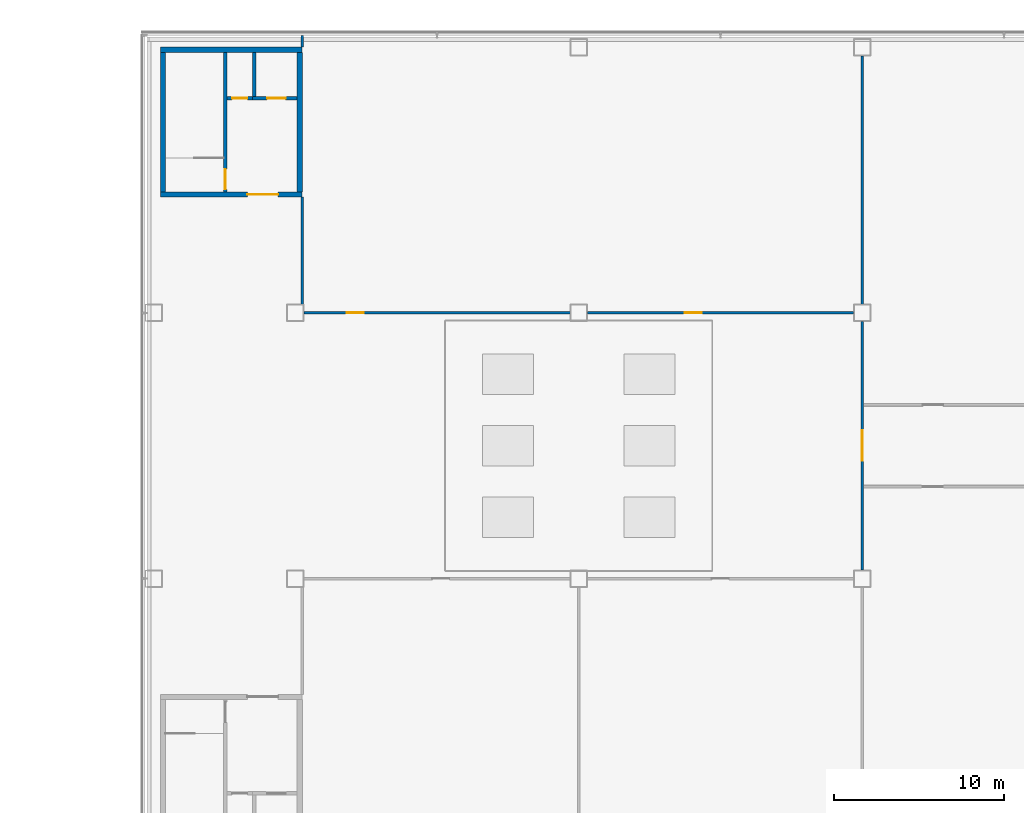
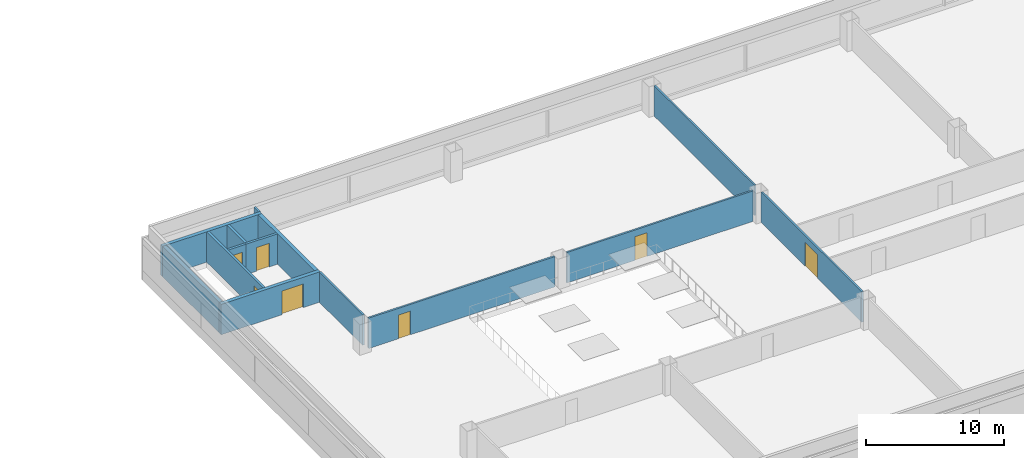
# One storey, part 30 of 42: 14 walls, 7 doors, 7 openings.
"""IFC4 building model written with IfcOpenShell, lengths in metres."""

import ifcopenshell
import ifcopenshell.guid

model = None  # the IFC model being written
_history = None  # IfcOwnerHistory: only IFC2X3 demands one
_inside = {}  # id of a spatial element -> (the spatial element, [elements in it])
_under = {}  # id of a project, library or spatial element -> (it, [spatial elements below it])
_declared = {}  # id of a project -> (the project, [libraries it declares])
_typed = {}  # id of a type object -> (the type object, [elements of that type])
_made_of = {}  # id of a material, layer set ... -> (it, [elements and type objects made of it])


def new_model(schema):
    """Start an empty IFC model of exactly this schema.

    Asked for "IFC4X3", IfcOpenShell would pick the latest addendum, in which some entities
    have other attributes; the version numbers below select the first issue.
    IFC2X3 requires an IfcOwnerHistory on every rooted entity: one is made here for all.
    """
    global model, _history
    if schema == "IFC4X3":
        model = ifcopenshell.file(schema_version=(4, 3, 0, 0))
    else:
        model = ifcopenshell.file(schema=schema)
    _inside.clear()
    _under.clear()
    _declared.clear()
    _typed.clear()
    _made_of.clear()
    _history = None
    if model.schema == "IFC2X3":
        org = make("IfcOrganization", Name="unknown")
        user = make(
            "IfcPersonAndOrganization",
            ThePerson=make("IfcPerson", FamilyName="unknown"),
            TheOrganization=org,
        )
        app = make(
            "IfcApplication",
            ApplicationDeveloper=org,
            Version="unknown",
            ApplicationFullName="unknown",
            ApplicationIdentifier="unknown",
        )
        _history = make(
            "IfcOwnerHistory",
            OwningUser=user,
            OwningApplication=app,
            ChangeAction="ADDED",
            CreationDate=0,
        )
    return model


def make(cls, **values):
    """One entity of the class cls with the attributes given. An attribute that is None is left unset."""
    return model.create_entity(
        cls, **{name: value for name, value in values.items() if value is not None}
    )


def rooted(cls, **values):
    """An entity with a GlobalId (a new one), such as an element, a storey or a relation."""
    return make(cls, GlobalId=ifcopenshell.guid.new(), OwnerHistory=_history, **values)


def si_unit(unit_type, name, prefix=None):
    """IfcSIUnit, for example si_unit("LENGTHUNIT", "METRE", prefix="MILLI")."""
    return make("IfcSIUnit", UnitType=unit_type, Prefix=prefix, Name=name)


def assignment(units):
    """IfcUnitAssignment: the units of a project."""
    return None if units is None else make("IfcUnitAssignment", Units=units)


def point(xyz):
    """IfcCartesianPoint."""
    return None if xyz is None else make("IfcCartesianPoint", Coordinates=xyz)


def direction(xyz):
    """IfcDirection."""
    return None if xyz is None else make("IfcDirection", DirectionRatios=xyz)


def frame(location, z_axis=None, x_axis=None):
    """IfcAxis2Placement3D, a coordinate frame: its origin and axes. An axis left out is left unset."""
    return make(
        "IfcAxis2Placement3D",
        Location=point(location),
        Axis=direction(z_axis),
        RefDirection=direction(x_axis),
    )


def frame_2d(location, x_axis=None):
    """IfcAxis2Placement2D, a coordinate frame in the plane: its origin and x axis."""
    return make(
        "IfcAxis2Placement2D", Location=point(location), RefDirection=direction(x_axis)
    )


def origin():
    """The frame at (0, 0, 0) with its axes left unset."""
    return frame((0.0, 0.0, 0.0))


def place(relative_to, where):
    """IfcLocalPlacement: puts the frame where relative to a parent placement (None: the world)."""
    return make(
        "IfcLocalPlacement", PlacementRelTo=relative_to, RelativePlacement=where
    )


def context(
    kind, dimensions, precision=None, world=None, true_north=None, identifier=None
):
    """IfcGeometricRepresentationContext, for example the 3D "Model" context."""
    return make(
        "IfcGeometricRepresentationContext",
        ContextIdentifier=identifier,
        ContextType=kind,
        CoordinateSpaceDimension=dimensions,
        Precision=precision,
        WorldCoordinateSystem=world,
        TrueNorth=true_north,
    )


def subcontext(parent, identifier, kind, view, scale=None):
    """IfcGeometricRepresentationSubContext, for example "Body" below "Model"."""
    return make(
        "IfcGeometricRepresentationSubContext",
        ContextIdentifier=identifier,
        ContextType=kind,
        ParentContext=parent,
        TargetScale=scale,
        TargetView=view,
    )


def project(units=None, contexts=None):
    """IfcProject with its units and contexts."""
    return rooted(
        "IfcProject",
        Name="project",
        RepresentationContexts=contexts,
        UnitsInContext=assignment(units),
    )


def spatial(cls, under=None, at=None, **own):
    """A site, building, storey or space (cls), placed at a placement, below another one or the project."""
    s = rooted(cls, ObjectPlacement=at, **own)
    if under is not None:
        _under.setdefault(under.id(), (under, []))[1].append(s)
    return s


def profile(cls, at=None, kind="AREA", **sizes):
    """A parametric profile (cls). Its sizes go by their IFC names, for example OverallWidth=200.0."""
    return make(cls, ProfileType=kind, Position=at, **sizes)


def rectangle(**sizes):
    """IfcRectangleProfileDef."""
    return profile("IfcRectangleProfileDef", **sizes)


def extrude(swept, where, along, depth):
    """IfcExtrudedAreaSolid: the profile swept, set in the frame where, extruded along a direction by depth."""
    return make(
        "IfcExtrudedAreaSolid",
        SweptArea=swept,
        Position=where,
        ExtrudedDirection=direction(along),
        Depth=depth,
    )


def shape(context_of_items, identifier, shape_type, items):
    """IfcShapeRepresentation: the items that make up one representation, for example the "Body"."""
    return make(
        "IfcShapeRepresentation",
        ContextOfItems=context_of_items,
        RepresentationIdentifier=identifier,
        RepresentationType=shape_type,
        Items=items,
    )


def material(Name=None, Category=None):
    """IfcMaterial."""
    return make("IfcMaterial", Name=Name, Category=Category)


def layer(
    of_material, thickness, ventilated=None, Name=None, Category=None, Priority=None
):
    """IfcMaterialLayer: one layer of a wall or slab, of a material (None: an air gap)."""
    return make(
        "IfcMaterialLayer",
        Material=of_material,
        LayerThickness=thickness,
        IsVentilated=ventilated,
        Name=Name,
        Category=Category,
        Priority=Priority,
    )


def layer_set(layers, Name=None):
    """IfcMaterialLayerSet."""
    return make("IfcMaterialLayerSet", MaterialLayers=layers, LayerSetName=Name)


def made_of(thing, what):
    """Note that an element or type object is made of a material, layer set ...; save() writes the relation."""
    if what is not None:
        _made_of.setdefault(what.id(), (what, []))[1].append(thing)
    return thing


def type_object(cls, material=None, **own):
    """A type object (cls), such as IfcWallType, which elements share."""
    return made_of(rooted(cls, **own), material)


def element(
    cls,
    number,
    at=None,
    inside=None,
    cuts=None,
    type_object=None,
    material=None,
    context=None,
    identifier="Body",
    shape_type=None,
    held_by="IfcProductDefinitionShape",
    body=None,
    shapes=None,
    **own,
):
    """One element of the class cls, such as IfcWall. Its Tag is "e" and its number.

    at: its placement. inside: the storey or other place that contains it. cuts: it is an
    opening in that element (IfcRelVoidsElement). A single representation is given by context,
    identifier, shape_type and body (its items); several are given by shapes. held_by: the class
    of the entity that holds the representations. save() writes the other relations.
    """
    e = rooted(cls, Tag="e%d" % number, ObjectPlacement=at, **own)
    if body is not None:
        shapes = [shape(context, identifier, shape_type, body)]
    if shapes is not None:
        e.Representation = make(held_by, Representations=shapes)
    if inside is not None:
        _inside.setdefault(inside.id(), (inside, []))[1].append(e)
    if cuts is not None:
        rooted(
            "IfcRelVoidsElement", RelatingBuildingElement=cuts, RelatedOpeningElement=e
        )
    if type_object is not None:
        _typed.setdefault(type_object.id(), (type_object, []))[1].append(e)
    return made_of(e, material)


def fill(opening, filler):
    """IfcRelFillsElement: the door or window that sits in an opening."""
    return rooted(
        "IfcRelFillsElement",
        RelatingOpeningElement=opening,
        RelatedBuildingElement=filler,
    )


def aggregate(whole, parts):
    """IfcRelAggregates: a whole, such as a stair, and the parts it consists of."""
    return rooted("IfcRelAggregates", RelatingObject=whole, RelatedObjects=parts)


def save(model, path):
    """Write the relations noted so far, then the file.

    IfcRelAggregates (storeys below a building ...), IfcRelContainedInSpatialStructure (elements
    in a storey), IfcRelDefinesByType, IfcRelAssociatesMaterial and IfcRelDeclares: one each for
    every whole, place, type object, material and project.
    """
    for whole, parts in _under.values():
        aggregate(whole, parts)
    for where, things in _inside.values():
        rooted(
            "IfcRelContainedInSpatialStructure",
            RelatedElements=things,
            RelatingStructure=where,
        )
    for kind, things in _typed.values():
        rooted("IfcRelDefinesByType", RelatedObjects=things, RelatingType=kind)
    for what, things in _made_of.values():
        rooted("IfcRelAssociatesMaterial", RelatedObjects=things, RelatingMaterial=what)
    for by, libraries in _declared.values():
        rooted("IfcRelDeclares", RelatingContext=by, RelatedDefinitions=libraries)
    model.write(path)


model = new_model("IFC4")

# Units and contexts
model_context = context("Model", 3, precision=1e-05, world=origin(), true_north=direction((0.0, 1.0)))
body_context = subcontext(model_context, "Body", "Model", "MODEL_VIEW")
ifc_project = project(units=[si_unit("LENGTHUNIT", "METRE"), si_unit("AREAUNIT", "SQUARE_METRE"), si_unit("VOLUMEUNIT", "CUBIC_METRE"), si_unit("PLANEANGLEUNIT", "RADIAN"), si_unit("MASSUNIT", "GRAM", prefix="KILO")], contexts=[model_context])

# Site, building, storey
site_placement = place(None, origin())
site = spatial("IfcSite", under=ifc_project, at=site_placement, CompositionType="ELEMENT")
building_placement = place(site_placement, origin())
building = spatial("IfcBuilding", under=site, at=building_placement, Name="Hakoniwa Tower and Hamabe Station Hall", CompositionType="ELEMENT")
storey_placement = place(building_placement, frame((0.0, 0.0, 19.800048828125)))
storey = spatial("IfcBuildingStorey", under=building, at=storey_placement, Name="L04", CompositionType="ELEMENT", Elevation=19.800048828125)

# Wall, opening, door
ifc_material_1 = material(Name="Concrete block masonry fb10", Category="masonry")
ifc_layer_1 = layer(ifc_material_1, 0.199951171875)
ifc_layer_set_1 = layer_set([ifc_layer_1], Name="BLOCK WALL 200 EI 60")
wall_type_1 = type_object("IfcWallType", Name="BLOCK WALL 200 EI 60", PredefinedType="PARTITIONING", material=ifc_layer_set_1)
wall_1_placement = place(storey_placement, frame((90.25, 20.39990234375, 0.0), z_axis=(0.0, 0.0, 1.0), x_axis=(1.0, 0.0, 0.0)))
wall_1 = element("IfcWall", 1, at=wall_1_placement, inside=storey, type_object=wall_type_1, Name="Station riser room wall SC1 L04", PredefinedType="PARTITIONING", context=body_context, shape_type="SweptSolid", body=[
    extrude(rectangle(XDim=1.5, YDim=0.199951171875, at=frame_2d((0.75, 0.0))), origin(), (0.0, 0.0, 1.0), 2.699951171875),
])
opening_1_placement = place(wall_1_placement, frame((0.300048828125, 0.0, 0.0)))
opening_1 = element("IfcOpeningElement", 2, at=opening_1_placement, cuts=wall_1, Name="Opening SD-L04-018", PredefinedType="OPENING", context=body_context, shape_type="SweptSolid", body=[
    extrude(rectangle(XDim=0.89990234375, YDim=2.10009765625, at=frame_2d((0.449951171875, 1.050048828125))), frame((0.0, 0.10986328125, 0.0), z_axis=(0.0, -1.0, 0.0), x_axis=(1.0, 0.0, 0.0)), (0.0, 0.0, 1.0), 0.219970703125),
])
ifc_material_2 = material(Name="Steel fire door", Category="steel")
door_type_1 = type_object("IfcDoorType", Name="FIRE DOOR 900X2100 FD30", OperationType="SINGLE_SWING_LEFT", PredefinedType="DOOR", material=ifc_material_2)
door_1_placement = place(opening_1_placement, origin())
door_1 = element("IfcDoor", 3, at=door_1_placement, inside=storey, type_object=door_type_1, Name="Door riser SC1", OperationType="SINGLE_SWING_LEFT", OverallHeight=2.10009765625, OverallWidth=0.89990234375, PredefinedType="DOOR", context=body_context, shape_type="SweptSolid", body=[
    extrude(rectangle(XDim=0.89990234375, YDim=2.10009765625, at=frame_2d((0.449951171875, 1.050048828125))), frame((0.0, 0.02490234375, 0.0), z_axis=(0.0, -1.0, 0.0), x_axis=(1.0, 0.0, 0.0)), (0.0, 0.0, 1.0), 0.050048828125),
])
fill(opening_1, door_1)

ifc_material_3 = material(Name="Fire-rated gypsum board partition")
ifc_layer_2 = layer(ifc_material_3, 0.14990234375)
ifc_layer_set_2 = layer_set([ifc_layer_2], Name="FIRE PARTITION 150 EI 60")
wall_type_2 = type_object("IfcWallType", Name="FIRE PARTITION 150 EI 60", PredefinedType="PARTITIONING", material=ifc_layer_set_2)
wall_2_placement = place(storey_placement, frame((94.77001953125, 7.800048828125, 0.0), z_axis=(0.0, 0.0, 1.0), x_axis=(1.0, 0.0, 0.0)))
wall_2 = element("IfcWall", 4, at=wall_2_placement, inside=storey, type_object=wall_type_2, Name="Partition L04 4", PredefinedType="PARTITIONING", context=body_context, shape_type="SweptSolid", body=[
    extrude(rectangle(XDim=15.639892578125, YDim=0.14990234375, at=frame_2d((7.81982421875, 0.0))), origin(), (0.0, 0.0, 1.0), 2.699951171875),
])
opening_2_placement = place(wall_2_placement, frame((2.5048828125, 0.0, 0.0)))
opening_2 = element("IfcOpeningElement", 5, at=opening_2_placement, cuts=wall_2, Name="Opening SD-L04-002", PredefinedType="OPENING", context=body_context, shape_type="SweptSolid", body=[
    extrude(rectangle(XDim=1.0, YDim=2.10009765625, at=frame_2d((0.5, 1.050048828125))), frame((0.0, 0.0849609375, 0.0), z_axis=(0.0, -1.0, 0.0), x_axis=(1.0, 0.0, 0.0)), (0.0, 0.0, 1.0), 0.169921875),
])
ifc_material_4 = material(Name="Timber door leaf", Category="wood")
door_type_2 = type_object("IfcDoorType", Name="SINGLE DOOR 1000X2100", OperationType="SINGLE_SWING_LEFT", PredefinedType="DOOR", material=ifc_material_4)
door_2_placement = place(opening_2_placement, origin())
door_2 = element("IfcDoor", 6, at=door_2_placement, inside=storey, type_object=door_type_2, Name="Door Railway Administration Office", OperationType="SINGLE_SWING_RIGHT", OverallHeight=2.10009765625, OverallWidth=1.0, PredefinedType="DOOR", context=body_context, shape_type="SweptSolid", body=[
    extrude(rectangle(XDim=1.0, YDim=2.10009765625, at=frame_2d((0.5, 1.050048828125))), frame((0.0, 0.02490234375, 0.0), z_axis=(0.0, -1.0, 0.0), x_axis=(1.0, 0.0, 0.0)), (0.0, 0.0, 1.0), 0.050048828125),
])
fill(opening_2, door_2)

wall_3_placement = place(storey_placement, frame((111.409912109375, 7.800048828125, 0.0), z_axis=(0.0, 0.0, 1.0), x_axis=(1.0, 0.0, 0.0)))
wall_3 = element("IfcWall", 7, at=wall_3_placement, inside=storey, type_object=wall_type_2, Name="Partition L04 4", PredefinedType="PARTITIONING", context=body_context, shape_type="SweptSolid", body=[
    extrude(rectangle(XDim=15.64013671875, YDim=0.14990234375, at=frame_2d((7.820068359375, 0.0))), origin(), (0.0, 0.0, 1.0), 2.699951171875),
])
opening_3_placement = place(wall_3_placement, frame((5.735107421875, 0.0, 0.0)))
opening_3 = element("IfcOpeningElement", 8, at=opening_3_placement, cuts=wall_3, Name="Opening SD-L04-001", PredefinedType="OPENING", context=body_context, shape_type="SweptSolid", body=[
    extrude(rectangle(XDim=1.0, YDim=2.10009765625, at=frame_2d((0.5, 1.050048828125))), frame((0.0, 0.0849609375, 0.0), z_axis=(0.0, -1.0, 0.0), x_axis=(1.0, 0.0, 0.0)), (0.0, 0.0, 1.0), 0.169921875),
])
door_3_placement = place(opening_3_placement, origin())
door_3 = element("IfcDoor", 9, at=door_3_placement, inside=storey, type_object=door_type_2, Name="Door Railway Administration Office", OperationType="SINGLE_SWING_LEFT", OverallHeight=2.10009765625, OverallWidth=1.0, PredefinedType="DOOR", context=body_context, shape_type="SweptSolid", body=[
    extrude(rectangle(XDim=1.0, YDim=2.10009765625, at=frame_2d((0.5, 1.050048828125))), frame((0.0, 0.02490234375, 0.0), z_axis=(0.0, -1.0, 0.0), x_axis=(1.0, 0.0, 0.0)), (0.0, 0.0, 1.0), 0.050048828125),
])
fill(opening_3, door_3)

# Walls
wall_4_placement = place(storey_placement, frame((94.669921875, 8.300048828125, 0.0), z_axis=(0.0, 0.0, 1.0), x_axis=(0.0, 1.0, 0.0)))
element("IfcWall", 10, at=wall_4_placement, inside=storey, type_object=wall_type_2, Name="Partition L04 7", PredefinedType="PARTITIONING", context=body_context, shape_type="SweptSolid", body=[
    extrude(rectangle(XDim=6.300048828125, YDim=0.14990234375, at=frame_2d((3.14990234375, 0.0))), origin(), (0.0, 0.0, 1.0), 2.699951171875),
])
wall_5_placement = place(storey_placement, frame((94.669921875, 23.39990234375, 0.0), z_axis=(0.0, 0.0, 1.0), x_axis=(0.0, 1.0, 0.0)))
element("IfcWall", 11, at=wall_5_placement, inside=storey, type_object=wall_type_2, Name="Partition L04 8", PredefinedType="PARTITIONING", context=body_context, shape_type="SweptSolid", body=[
    extrude(rectangle(XDim=0.7001953125, YDim=0.14990234375, at=frame_2d((0.35009765625, 0.0))), origin(), (0.0, 0.0, 1.0), 2.699951171875),
])

# Wall, opening, door
wall_6_placement = place(storey_placement, frame((127.550048828125, -7.300048828125, 0.0), z_axis=(0.0, 0.0, 1.0), x_axis=(0.0, 1.0, 0.0)))
wall_6 = element("IfcWall", 12, at=wall_6_placement, inside=storey, type_object=wall_type_2, Name="Partition L04 10", PredefinedType="PARTITIONING", context=body_context, shape_type="SweptSolid", body=[
    extrude(rectangle(XDim=14.60009765625, YDim=0.14990234375, at=frame_2d((7.300048828125, 0.0))), origin(), (0.0, 0.0, 1.0), 2.699951171875),
])
opening_4_placement = place(wall_6_placement, frame((6.4150390625, 0.0, 0.0)))
opening_4 = element("IfcOpeningElement", 13, at=opening_4_placement, cuts=wall_6, Name="Opening SD-L04-005", PredefinedType="OPENING", context=body_context, shape_type="SweptSolid", body=[
    extrude(rectangle(XDim=1.800048828125, YDim=2.10009765625, at=frame_2d((0.89990234375, 1.050048828125))), frame((0.0, 0.0849609375, 0.0), z_axis=(0.0, -1.0, 0.0), x_axis=(1.0, 0.0, 0.0)), (0.0, 0.0, 1.0), 0.169921875),
])
ifc_material_5 = material(Name="Steel fire door", Category="steel")
door_type_3 = type_object("IfcDoorType", Name="FIRE DOUBLE DOOR 1800X2100 FD60", OperationType="DOUBLE_DOOR_SINGLE_SWING", PredefinedType="DOOR", material=ifc_material_5)
door_4_placement = place(opening_4_placement, origin())
door_4 = element("IfcDoor", 14, at=door_4_placement, inside=storey, type_object=door_type_3, Name="Door Plant Corridor", OperationType="DOUBLE_DOOR_SINGLE_SWING", OverallHeight=2.10009765625, OverallWidth=1.800048828125, PredefinedType="DOOR", context=body_context, shape_type="SweptSolid", body=[
    extrude(rectangle(XDim=1.800048828125, YDim=2.10009765625, at=frame_2d((0.89990234375, 1.050048828125))), frame((0.0, 0.02490234375, 0.0), z_axis=(0.0, -1.0, 0.0), x_axis=(1.0, 0.0, 0.0)), (0.0, 0.0, 1.0), 0.050048828125),
])
fill(opening_4, door_4)

# Wall
wall_7_placement = place(storey_placement, frame((127.550048828125, 8.300048828125, 0.0), z_axis=(0.0, 0.0, 1.0), x_axis=(0.0, 1.0, 0.0)))
element("IfcWall", 15, at=wall_7_placement, inside=storey, type_object=wall_type_2, Name="Partition L04 10", PredefinedType="PARTITIONING", context=body_context, shape_type="SweptSolid", body=[
    extrude(rectangle(XDim=14.599853515625, YDim=0.14990234375, at=frame_2d((7.2998046875, 0.0))), origin(), (0.0, 0.0, 1.0), 2.699951171875),
])

# Wall, opening, door
ifc_material_6 = material(Name="Concrete C60", Category="concrete")
ifc_layer_3 = layer(ifc_material_6, 0.199951171875)
ifc_layer_set_3 = layer_set([ifc_layer_3], Name="RC WALL 200 EI 120 C60")
wall_type_3 = type_object("IfcWallType", Name="RC WALL 200 EI 120 C60", PredefinedType="SHEAR", material=ifc_layer_set_3)
wall_8_placement = place(storey_placement, frame((90.14990234375, 23.10009765625, 0.0), z_axis=(0.0, 0.0, 1.0), x_axis=(0.0, -1.0, 0.0)))
wall_8 = element("IfcWall", 16, at=wall_8_placement, inside=storey, type_object=wall_type_3, Name="Station stair wall SC1 L04", PredefinedType="SHEAR", context=body_context, shape_type="SweptSolid", body=[
    extrude(rectangle(XDim=8.2001953125, YDim=0.199951171875, at=frame_2d((4.10009765625, 0.0))), origin(), (0.0, 0.0, 1.0), 2.699951171875),
])
opening_5_placement = place(wall_8_placement, frame((6.85009765625, 0.0, 0.0)))
opening_5 = element("IfcOpeningElement", 17, at=opening_5_placement, cuts=wall_8, Name="Opening SD-L04-017", PredefinedType="OPENING", context=body_context, shape_type="SweptSolid", body=[
    extrude(rectangle(XDim=1.199951171875, YDim=2.10009765625, at=frame_2d((0.60009765625, 1.050048828125))), frame((0.0, 0.10986328125, 0.0), z_axis=(0.0, -1.0, 0.0), x_axis=(1.0, 0.0, 0.0)), (0.0, 0.0, 1.0), 0.219970703125),
])
ifc_material_7 = material(Name="Steel fire door", Category="steel")
door_type_4 = type_object("IfcDoorType", Name="FIRE DOOR 1200X2100 FD60", OperationType="SINGLE_SWING_LEFT", PredefinedType="DOOR", material=ifc_material_7)
door_5_placement = place(opening_5_placement, origin())
door_5 = element("IfcDoor", 18, at=door_5_placement, inside=storey, type_object=door_type_4, Name="Door escape stair SC1", OperationType="SINGLE_SWING_LEFT", OverallHeight=2.10009765625, OverallWidth=1.199951171875, PredefinedType="DOOR", context=body_context, shape_type="SweptSolid", body=[
    extrude(rectangle(XDim=1.199951171875, YDim=2.10009765625, at=frame_2d((0.60009765625, 1.050048828125))), frame((0.0, 0.02490234375, 0.0), z_axis=(0.0, -1.0, 0.0), x_axis=(1.0, 0.0, 0.0)), (0.0, 0.0, 1.0), 0.050048828125),
])
fill(opening_5, door_5)

# Wall
ifc_material_8 = material(Name="Concrete C60", Category="concrete")
ifc_layer_4 = layer(ifc_material_8, 0.199951171875)
ifc_layer_set_4 = layer_set([ifc_layer_4], Name="RC WALL 200 EI 60 C60")
wall_type_4 = type_object("IfcWallType", Name="RC WALL 200 EI 60 C60", PredefinedType="SHEAR", material=ifc_layer_set_4)
wall_9_placement = place(storey_placement, frame((91.85009765625, 23.10009765625, 0.0), z_axis=(0.0, 0.0, 1.0), x_axis=(0.0, -1.0, 0.0)))
element("IfcWall", 19, at=wall_9_placement, inside=storey, type_object=wall_type_4, Name="Station hoistway wall SC1 L04", PredefinedType="SHEAR", context=body_context, shape_type="SweptSolid", body=[
    extrude(rectangle(XDim=2.60009765625, YDim=0.199951171875, at=frame_2d((1.300048828125, 0.0))), origin(), (0.0, 0.0, 1.0), 2.699951171875),
])

# Wall, opening, door
wall_10_placement = place(storey_placement, frame((91.75, 20.39990234375, 0.0), z_axis=(0.0, 0.0, 1.0), x_axis=(1.0, 0.0, 0.0)))
wall_10 = element("IfcWall", 20, at=wall_10_placement, inside=storey, type_object=wall_type_4, Name="Station hoistway front wall SC1 L04", PredefinedType="SHEAR", context=body_context, shape_type="SweptSolid", body=[
    extrude(rectangle(XDim=2.6201171875, YDim=0.199951171875, at=frame_2d((1.31005859375, 0.0))), origin(), (0.0, 0.0, 1.0), 2.699951171875),
])
opening_6_placement = place(wall_10_placement, frame((0.85009765625, 0.0, 0.0)))
opening_6 = element("IfcOpeningElement", 21, at=opening_6_placement, cuts=wall_10, Name="Opening LD-SL1-L04", PredefinedType="OPENING", context=body_context, shape_type="SweptSolid", body=[
    extrude(rectangle(XDim=1.10009765625, YDim=2.10009765625, at=frame_2d((0.550048828125, 1.050048828125))), frame((0.0, 0.10986328125, 0.0), z_axis=(0.0, -1.0, 0.0), x_axis=(1.0, 0.0, 0.0)), (0.0, 0.0, 1.0), 0.219970703125),
])
ifc_material_9 = material(Name="Stainless steel SUS304", Category="steel")
door_type_5 = type_object("IfcDoorType", Name="LIFT LANDING DOOR 1100X2100", OperationType="DOUBLE_DOOR_SLIDING", PredefinedType="DOOR", material=ifc_material_9)
door_6_placement = place(opening_6_placement, origin())
door_6 = element("IfcDoor", 22, at=door_6_placement, inside=storey, type_object=door_type_5, Name="Lift landing door SL1 L04", OperationType="DOUBLE_DOOR_SLIDING", OverallHeight=2.10009765625, OverallWidth=1.10009765625, PredefinedType="DOOR", context=body_context, shape_type="SweptSolid", body=[
    extrude(rectangle(XDim=1.10009765625, YDim=2.10009765625, at=frame_2d((0.550048828125, 1.050048828125))), frame((0.0, 0.02490234375, 0.0), z_axis=(0.0, -1.0, 0.0), x_axis=(1.0, 0.0, 0.0)), (0.0, 0.0, 1.0), 0.050048828125),
])
fill(opening_6, door_6)

# Wall
ifc_material_10 = material(Name="Concrete C60", Category="concrete")
ifc_layer_5 = layer(ifc_material_10, 0.300048828125)
ifc_layer_set_5 = layer_set([ifc_layer_5], Name="RC WALL 300 EI 120 C60")
wall_type_5 = type_object("IfcWallType", Name="RC WALL 300 EI 120 C60", PredefinedType="SHEAR", material=ifc_layer_set_5)
wall_11_placement = place(storey_placement, frame((86.35009765625, 23.25, 0.0), z_axis=(0.0, 0.0, 1.0), x_axis=(1.0, 0.0, 0.0)))
element("IfcWall", 23, at=wall_11_placement, inside=storey, type_object=wall_type_5, Name="Station core wall SC1 outer-v L04", PredefinedType="SHEAR", context=body_context, shape_type="SweptSolid", body=[
    extrude(rectangle(XDim=8.31982421875, YDim=0.300048828125, at=frame_2d((4.159912109375, 0.0))), origin(), (0.0, 0.0, 1.0), 2.699951171875),
])

# Wall, opening, door
wall_12_placement = place(storey_placement, frame((86.35009765625, 14.75, 0.0), z_axis=(0.0, 0.0, 1.0), x_axis=(1.0, 0.0, 0.0)))
wall_12 = element("IfcWall", 24, at=wall_12_placement, inside=storey, type_object=wall_type_5, Name="Station core wall SC1 inner-v L04", PredefinedType="SHEAR", context=body_context, shape_type="SweptSolid", body=[
    extrude(rectangle(XDim=8.31982421875, YDim=0.300048828125, at=frame_2d((4.159912109375, 0.0))), origin(), (0.0, 0.0, 1.0), 2.699951171875),
])
opening_7_placement = place(wall_12_placement, frame((5.10009765625, 0.0, 0.0)))
opening_7 = element("IfcOpeningElement", 25, at=opening_7_placement, cuts=wall_12, Name="Opening SD-L04-016", PredefinedType="OPENING", context=body_context, shape_type="SweptSolid", body=[
    extrude(rectangle(XDim=1.800048828125, YDim=2.10009765625, at=frame_2d((0.89990234375, 1.050048828125))), frame((0.0, 0.159912109375, 0.0), z_axis=(0.0, -1.0, 0.0), x_axis=(1.0, 0.0, 0.0)), (0.0, 0.0, 1.0), 0.320068359375),
])
door_7_placement = place(opening_7_placement, origin())
door_7 = element("IfcDoor", 26, at=door_7_placement, inside=storey, type_object=door_type_3, Name="Door lobby SC1", OperationType="DOUBLE_DOOR_SINGLE_SWING", OverallHeight=2.10009765625, OverallWidth=1.800048828125, PredefinedType="DOOR", context=body_context, shape_type="SweptSolid", body=[
    extrude(rectangle(XDim=1.800048828125, YDim=2.10009765625, at=frame_2d((0.89990234375, 1.050048828125))), frame((0.0, 0.02490234375, 0.0), z_axis=(0.0, -1.0, 0.0), x_axis=(1.0, 0.0, 0.0)), (0.0, 0.0, 1.0), 0.050048828125),
])
fill(opening_7, door_7)

# Walls
for number, where, z_axis, x_axis, name in (
    (27, (86.5, 23.10009765625, 0.0), (0.0, 0.0, 1.0), (0.0, -1.0, 0.0), "Station core wall SC1 outer-u L04"),
    (28, (94.52001953125, 23.10009765625, 0.0), (0.0, 0.0, 1.0), (0.0, -1.0, 0.0), "Station core wall SC1 inner-u L04"),
):
    element("IfcWall", number, at=place(storey_placement, frame(where, z_axis=z_axis, x_axis=x_axis)), inside=storey, type_object=wall_type_5, Name=name, PredefinedType="SHEAR", context=body_context, shape_type="SweptSolid", body=[
        extrude(rectangle(XDim=8.2001953125, YDim=0.300048828125, at=frame_2d((4.10009765625, 0.0))), origin(), (0.0, 0.0, 1.0), 2.699951171875),
    ])

save(model, "model.ifc")
